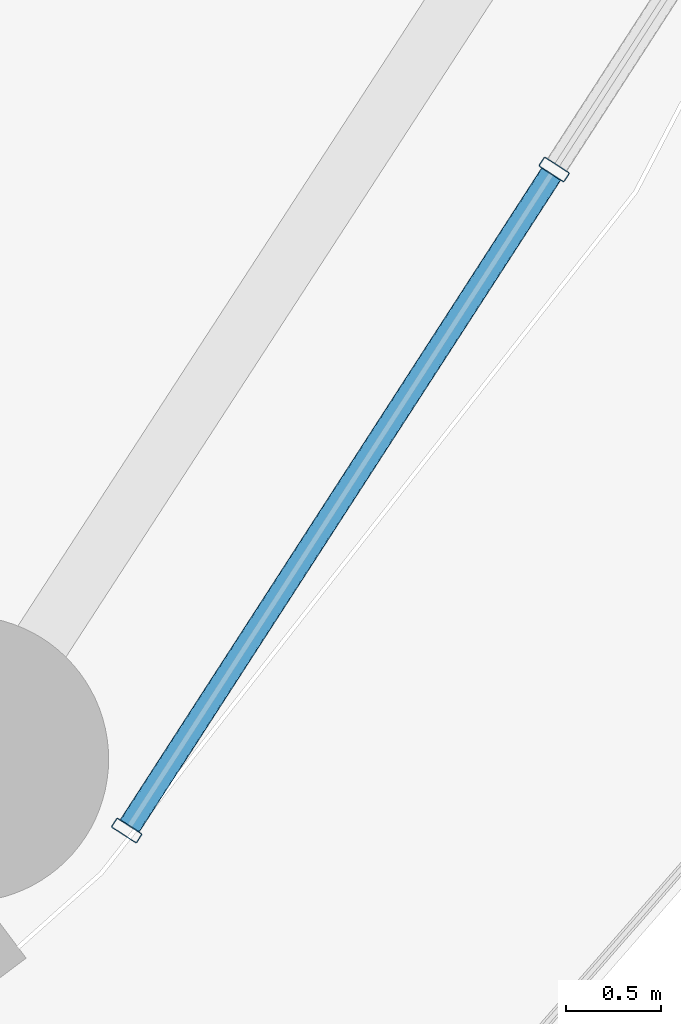
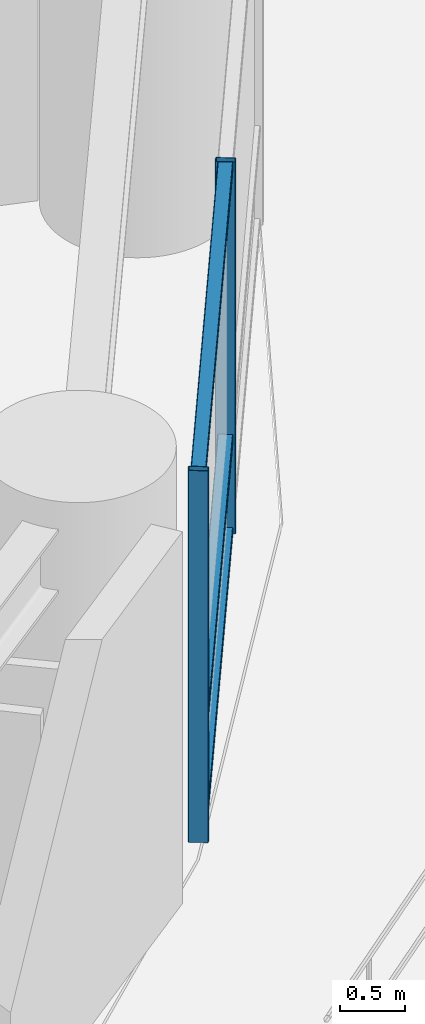
# One storey, part 10 of 32: 5 members, 1 element without a shape of its own.
"""IFC4 building model written with IfcOpenShell, lengths in metres."""

from ifc_helpers import new_model, si_unit, direction, frame, origin, origin_2d, place, context, subcontext, project, spatial, hollow_rectangle, extrude, material, layer, layer_set, material_profile, profile_set, type_object, element, aggregate, save


model = new_model("IFC4")

# Units and contexts
model_context = context("Model", 3, precision=1e-05, world=origin(), true_north=direction((0.0, 1.0)))
body_context = subcontext(model_context, "Body", "Model", "MODEL_VIEW")
ifc_project = project(units=[si_unit("LENGTHUNIT", "METRE"), si_unit("AREAUNIT", "SQUARE_METRE"), si_unit("VOLUMEUNIT", "CUBIC_METRE"), si_unit("PLANEANGLEUNIT", "RADIAN"), si_unit("MASSUNIT", "GRAM", prefix="KILO")], contexts=[model_context])

# Site, building, storey
site_placement = place(None, origin())
site = spatial("IfcSite", under=ifc_project, at=site_placement, CompositionType="ELEMENT")
building_placement = place(site_placement, origin())
building = spatial("IfcBuilding", under=site, at=building_placement, Name="Kelanora Arch Commons", CompositionType="ELEMENT")
storey_placement = place(building_placement, frame((0.0, 0.0, 48.75)))
storey = spatial("IfcBuildingStorey", under=building, at=storey_placement, Name="L12", CompositionType="ELEMENT", Elevation=48.75)

# Curtain wall, members
ifc_material_1 = material(Name="Terracotta ceramic-fritted low-E glass and aluminium", Category="masonry")
ifc_layer = layer(ifc_material_1, 0.159912109375)
ifc_layer_set = layer_set([ifc_layer], Name="Terracotta ceramic-fritted low-E glass and aluminium")
curtain_wall_type = type_object("IfcCurtainWallType", Name="CW-SYS-01", PredefinedType="NOTDEFINED", material=ifc_layer_set)
curtain_wall_placement = place(storey_placement, origin())
curtain_wall = element("IfcCurtainWall", 1, at=curtain_wall_placement, inside=storey, type_object=curtain_wall_type, Name="Unitised Curtain Wall L12-B16", PredefinedType="NOTDEFINED")
ifc_material_2 = material(Name="Powder-coated aluminium terracotta", Category="masonry")
ifc_material_profile_1 = material_profile(ifc_material_2, hollow_rectangle(XDim=0.159912109375, YDim=0.06005859375, WallThickness=0.0048828125, InnerFilletRadius=0.0048828125, OuterFilletRadius=0.010009765625, at=origin_2d()), Name="CWM160x60")
ifc_profile_set_1 = profile_set([ifc_material_profile_1], Name="Powder-coated aluminium terracotta")
member_type_1 = type_object("IfcMemberType", Name="CWM-STD", PredefinedType="MULLION", material=ifc_profile_set_1)
member_1_placement = place(storey_placement, frame((95.58935546875, 42.14697265625, 0.0), z_axis=(0.0, 0.0, 1.0), x_axis=(-0.83972982332, 0.543004441812, 0.0)))
member_1 = element("IfcMember", 2, at=member_1_placement, type_object=member_type_1, Name="CW-01 mullion 1", PredefinedType="MULLION", context=body_context, shape_type="SweptSolid", body=[
    extrude(hollow_rectangle(XDim=0.159912109375, YDim=0.06005859375, WallThickness=0.0048828125, InnerFilletRadius=0.0048828125, OuterFilletRadius=0.010009765625, at=origin_2d()), origin(), (0.0, 0.0, 1.0), 3.47509765625),
])
member_2_placement = place(storey_placement, frame((97.830810546875, 45.61328125, 0.0), z_axis=(0.0, 0.0, 1.0), x_axis=(-0.83972982332, 0.543004441812, 0.0)))
member_2 = element("IfcMember", 3, at=member_2_placement, type_object=member_type_1, Name="CW-01 mullion 2", PredefinedType="MULLION", context=body_context, shape_type="SweptSolid", body=[
    extrude(hollow_rectangle(XDim=0.159912109375, YDim=0.06005859375, WallThickness=0.0048828125, InnerFilletRadius=0.0048828125, OuterFilletRadius=0.010009765625, at=origin_2d()), origin(), (0.0, 0.0, 1.0), 3.47509765625),
])
ifc_material_profile_2 = material_profile(ifc_material_2, hollow_rectangle(XDim=0.1201171875, YDim=0.06005859375, WallThickness=0.0048828125, InnerFilletRadius=0.0048828125, OuterFilletRadius=0.010009765625, at=origin_2d()), Name="CWT120x60")
ifc_profile_set_2 = profile_set([ifc_material_profile_2], Name="Powder-coated aluminium terracotta")
member_type_2 = type_object("IfcMemberType", Name="CWT-STD", PredefinedType="USERDEFINED", material=ifc_profile_set_2)
member_3_placement = place(storey_placement, frame((95.605712890625, 42.17236328125, 0.030029296875), z_axis=(0.542997414293, 0.839734367566, 0.0), x_axis=(-0.839734367566, 0.542997414293, 0.0)))
member_3 = element("IfcMember", 4, at=member_3_placement, type_object=member_type_2, Name="CW-01 transom 1.1", ObjectType="TRANSOM", PredefinedType="USERDEFINED", context=body_context, shape_type="SweptSolid", body=[
    extrude(hollow_rectangle(XDim=0.1201171875, YDim=0.06005859375, WallThickness=0.0048828125, InnerFilletRadius=0.0048828125, OuterFilletRadius=0.010009765625, at=origin_2d()), origin(), (0.0, 0.0, 1.0), 4.067626953125),
])
member_4_placement = place(storey_placement, frame((95.605712890625, 42.17236328125, 0.89990234375), z_axis=(0.542997414293, 0.839734367566, 0.0), x_axis=(-0.839734367566, 0.542997414293, 0.0)))
member_4 = element("IfcMember", 5, at=member_4_placement, type_object=member_type_2, Name="CW-01 transom 1.2", ObjectType="TRANSOM", PredefinedType="USERDEFINED", context=body_context, shape_type="SweptSolid", body=[
    extrude(hollow_rectangle(XDim=0.1201171875, YDim=0.06005859375, WallThickness=0.0048828125, InnerFilletRadius=0.0048828125, OuterFilletRadius=0.010009765625, at=origin_2d()), origin(), (0.0, 0.0, 1.0), 4.067626953125),
])
member_5_placement = place(storey_placement, frame((95.605712890625, 42.17236328125, 3.445068359375), z_axis=(0.542997414293, 0.839734367566, 0.0), x_axis=(-0.839734367566, 0.542997414293, 0.0)))
member_5 = element("IfcMember", 6, at=member_5_placement, type_object=member_type_2, Name="CW-01 transom 1.3", ObjectType="TRANSOM", PredefinedType="USERDEFINED", context=body_context, shape_type="SweptSolid", body=[
    extrude(hollow_rectangle(XDim=0.1201171875, YDim=0.06005859375, WallThickness=0.0048828125, InnerFilletRadius=0.0048828125, OuterFilletRadius=0.010009765625, at=origin_2d()), origin(), (0.0, 0.0, 1.0), 4.067626953125),
])
aggregate(curtain_wall, [member_1, member_2, member_3, member_4, member_5])

save(model, "model.ifc")
